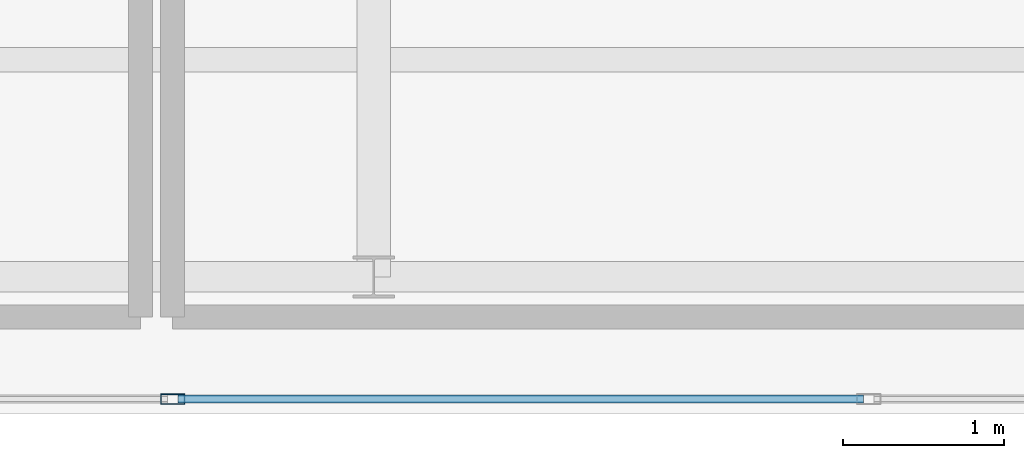
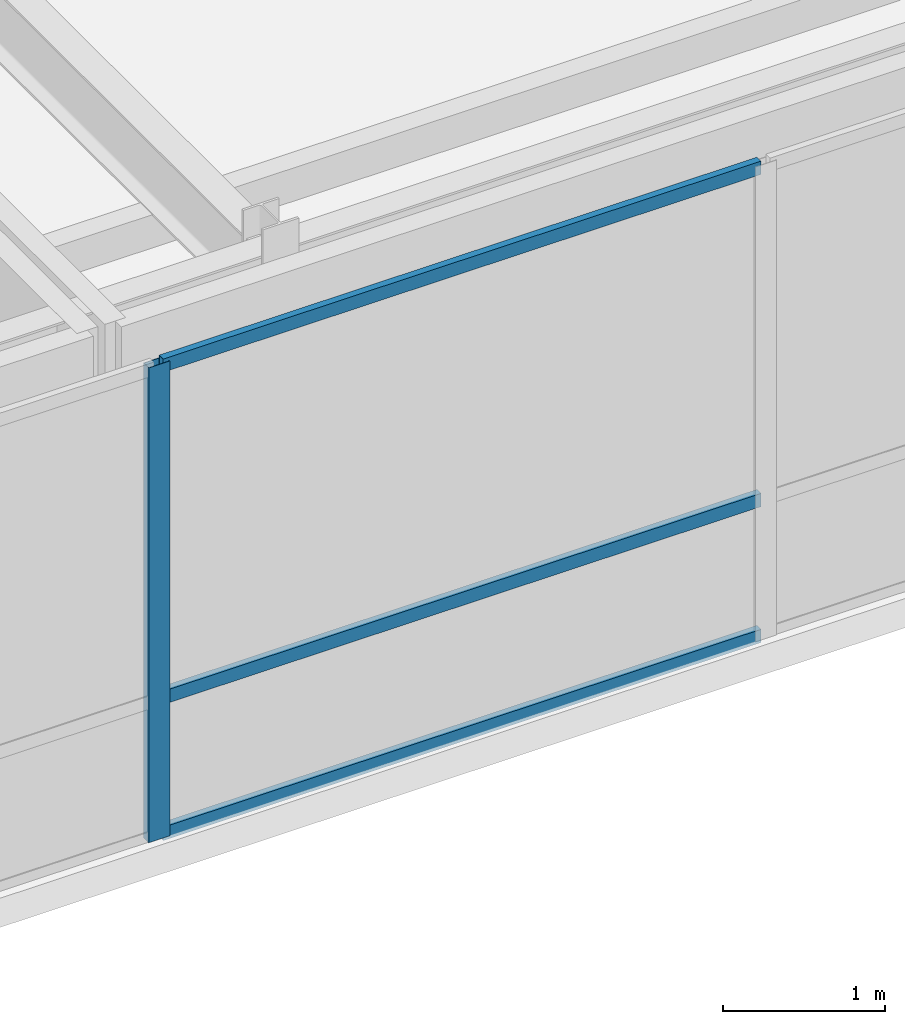
# One storey, part 10 of 36: 4 members, 1 element without a shape of its own.
"""IFC4 building model written with IfcOpenShell, lengths in metres."""

from ifc_helpers import new_model, si_unit, direction, frame, origin, origin_2d, place, context, subcontext, project, spatial, hollow_rectangle, extrude, source, transform, mapped, material, layer, layer_set, material_profile, profile_set, type_object, type_shapes, element, aggregate, save


model = new_model("IFC4")

# Units and contexts
model_context = context("Model", 3, precision=1e-05, world=origin(), true_north=direction((0.0, 1.0)))
body_context = subcontext(model_context, "Body", "Model", "MODEL_VIEW")
ifc_project = project(units=[si_unit("LENGTHUNIT", "METRE"), si_unit("AREAUNIT", "SQUARE_METRE"), si_unit("VOLUMEUNIT", "CUBIC_METRE"), si_unit("PLANEANGLEUNIT", "RADIAN"), si_unit("MASSUNIT", "GRAM", prefix="KILO")], contexts=[model_context])

# Site, building, storey
site_placement = place(None, origin())
site = spatial("IfcSite", under=ifc_project, at=site_placement, CompositionType="ELEMENT")
building_placement = place(site_placement, origin())
building = spatial("IfcBuilding", under=site, at=building_placement, Name="Tolvann Quenvar Hotel", CompositionType="ELEMENT")
storey_placement = place(building_placement, frame((0.0, 0.0, 294.75)))
storey = spatial("IfcBuildingStorey", under=building, at=storey_placement, Name="L78", CompositionType="ELEMENT", Elevation=294.75)

# Curtain wall, members
ifc_material_1 = material(Name="Thermally broken anodised architectural aluminium 6063-T6 and laminated low-E glass", Category="aluminium")
ifc_layer = layer(ifc_material_1, 0.179931640625)
ifc_layer_set = layer_set([ifc_layer], Name="Thermally broken anodised architectural aluminium 6063-T6 and laminated low-E glass")
curtain_wall_type = type_object("IfcCurtainWallType", Name="CW_SYS_LANT_06", PredefinedType="USERDEFINED", material=ifc_layer_set)
curtain_wall_placement = place(storey_placement, origin())
curtain_wall = element("IfcCurtainWall", 1, at=curtain_wall_placement, inside=storey, type_object=curtain_wall_type, Name="Curtain Wall CW-LANT-06 (CWR-L78-E04)", ObjectType="UNITISED CURTAIN WALL", PredefinedType="USERDEFINED")
ifc_material_2 = material(Name="Anodised architectural aluminium 6063-T6 framing", Category="aluminium")
ifc_material_profile_1 = material_profile(ifc_material_2, hollow_rectangle(XDim=0.06494140625, YDim=0.14990234375, WallThickness=0.00390625, at=origin_2d()), Name="150x65x4RHS")
ifc_profile_set_1 = profile_set([ifc_material_profile_1], Name="Anodised architectural aluminium 6063-T6 framing")
member_type_1 = type_object("IfcMemberType", Name="CW_MULL_150x65", PredefinedType="MULLION", material=ifc_profile_set_1)
shared_shape_1 = source(origin(), body_context, "Body", "SweptSolid", [
    extrude(hollow_rectangle(XDim=0.06494140625, YDim=0.14990234375, WallThickness=0.00390625, at=origin_2d()), origin(), (0.0, 0.0, 1.0), 3.580078125),
])
type_shapes(member_type_1, [shared_shape_1])
member_1_placement = place(storey_placement, frame((20.800048828125, 6.2900390625, 0.0), z_axis=(0.0, 0.0, 1.0), x_axis=(0.0, 1.0, 0.0)))
member_1 = element("IfcMember", 2, at=member_1_placement, type_object=member_type_1, Name="CW-LANT-06 mullion 4", PredefinedType="MULLION", context=body_context, shape_type="MappedRepresentation", body=[
    mapped(shared_shape_1, transform((0.0, 0.0, 0.0), x_axis=(1.0, 0.0, 0.0), y_axis=(0.0, 1.0, 0.0), z_axis=(0.0, 0.0, 1.0), scale=1.0)),
])
ifc_material_profile_2 = material_profile(ifc_material_2, hollow_rectangle(XDim=0.050048828125, YDim=0.10009765625, WallThickness=0.0029296875, at=origin_2d()), Name="100x50x3RHS")
ifc_profile_set_2 = profile_set([ifc_material_profile_2], Name="Anodised architectural aluminium 6063-T6 framing")
member_type_2 = type_object("IfcMemberType", Name="CW_TRAN_100x50", PredefinedType="USERDEFINED", material=ifc_profile_set_2)
shared_shape_2 = source(origin(), body_context, "Body", "SweptSolid", [
    extrude(hollow_rectangle(XDim=0.050048828125, YDim=0.10009765625, WallThickness=0.0029296875, at=origin_2d()), origin(), (0.0, 0.0, 1.0), 4.2626953125),
])
type_shapes(member_type_2, [shared_shape_2])
member_2_placement = place(storey_placement, frame((20.83251953125, 6.2900390625, 0.02490234375), z_axis=(1.0, 0.0, 0.0), x_axis=(0.0, 1.0, 0.0)))
member_2 = element("IfcMember", 3, at=member_2_placement, type_object=member_type_2, Name="CW-LANT-06 transom 4.1", ObjectType="TRANSOM", PredefinedType="USERDEFINED", context=body_context, shape_type="MappedRepresentation", body=[
    mapped(shared_shape_2, transform((0.0, 0.0, 0.0), x_axis=(1.0, 0.0, 0.0), y_axis=(0.0, 1.0, 0.0), z_axis=(0.0, 0.0, 1.0), scale=1.0)),
])
member_3_placement = place(storey_placement, frame((20.83251953125, 6.2900390625, 1.050048828125), z_axis=(1.0, 0.0, 0.0), x_axis=(0.0, 1.0, 0.0)))
member_3 = element("IfcMember", 4, at=member_3_placement, type_object=member_type_2, Name="CW-LANT-06 transom 4.2", ObjectType="TRANSOM", PredefinedType="USERDEFINED", context=body_context, shape_type="MappedRepresentation", body=[
    mapped(shared_shape_2, transform((0.0, 0.0, 0.0), x_axis=(1.0, 0.0, 0.0), y_axis=(0.0, 1.0, 0.0), z_axis=(0.0, 0.0, 1.0), scale=1.0)),
])
member_4_placement = place(storey_placement, frame((20.83251953125, 6.2900390625, 3.554931640625), z_axis=(1.0, 0.0, 0.0), x_axis=(0.0, 1.0, 0.0)))
member_4 = element("IfcMember", 5, at=member_4_placement, type_object=member_type_2, Name="CW-LANT-06 transom 4.3", ObjectType="TRANSOM", PredefinedType="USERDEFINED", context=body_context, shape_type="MappedRepresentation", body=[
    mapped(shared_shape_2, transform((0.0, 0.0, 0.0), x_axis=(1.0, 0.0, 0.0), y_axis=(0.0, 1.0, 0.0), z_axis=(0.0, 0.0, 1.0), scale=1.0)),
])
aggregate(curtain_wall, [member_1, member_2, member_3, member_4])

save(model, "model.ifc")
